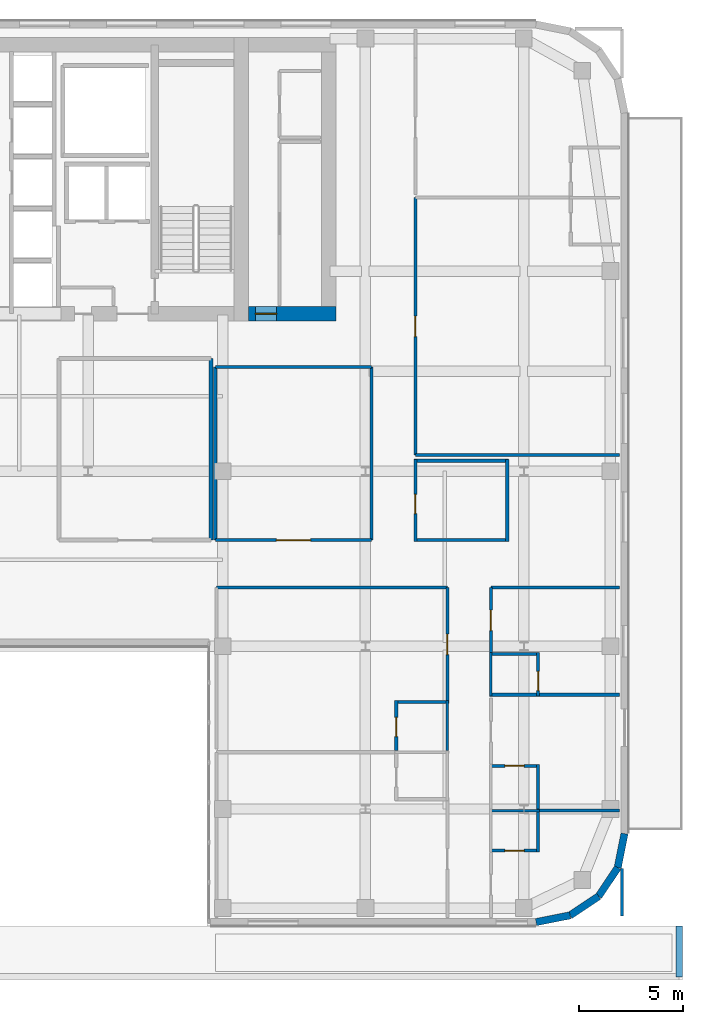
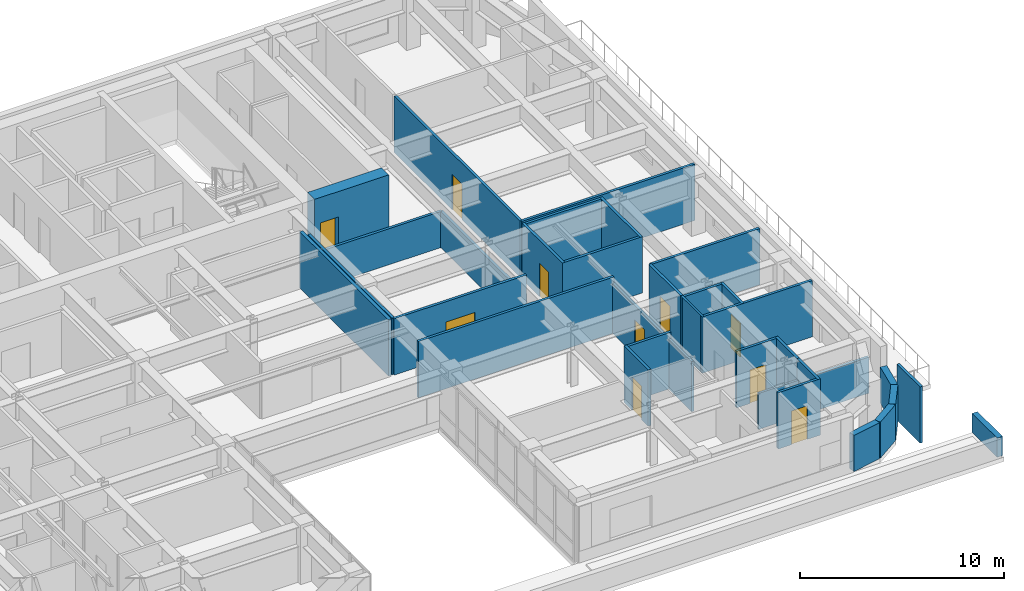
# One storey, part 12 of 20: 35 walls, 10 doors, 10 openings.
"""IFC4 building model written with IfcOpenShell, lengths in metres."""

from ifc_helpers import new_model, si_unit, direction, frame, frame_2d, origin, place, context, subcontext, project, spatial, rectangle, extrude, source, transform, mapped, material, layer, layer_set, type_object, type_shapes, element, fill, save


model = new_model("IFC4")

# Units and contexts
model_context = context("Model", 3, precision=1e-05, world=origin(), true_north=direction((0.0, 1.0)))
body_context = subcontext(model_context, "Body", "Model", "MODEL_VIEW")
ifc_project = project(units=[si_unit("LENGTHUNIT", "METRE"), si_unit("AREAUNIT", "SQUARE_METRE"), si_unit("VOLUMEUNIT", "CUBIC_METRE"), si_unit("PLANEANGLEUNIT", "RADIAN"), si_unit("MASSUNIT", "GRAM", prefix="KILO")], contexts=[model_context])

# Site, building, storey
site_placement = place(None, origin())
site = spatial("IfcSite", under=ifc_project, at=site_placement, CompositionType="ELEMENT")
building_placement = place(site_placement, origin())
building = spatial("IfcBuilding", under=site, at=building_placement, Name="Tolvann Quenvar Hotel", CompositionType="ELEMENT")
storey_placement = place(building_placement, frame((0.0, 0.0, 147.050048828125)))
storey = spatial("IfcBuildingStorey", under=building, at=storey_placement, Name="L38", CompositionType="ELEMENT", Elevation=147.050048828125)

# Wall, opening, door
ifc_material_1 = material(Name="Concrete S65 (65 MPa)", Category="concrete")
ifc_layer_1 = layer(ifc_material_1, 0.699951171875)
ifc_layer_set_1 = layer_set([ifc_layer_1], Name="Concrete S65 (65 MPa)")
wall_type_1 = type_object("IfcWallType", Name="WALL_CORE_700", PredefinedType="SHEAR", material=ifc_layer_set_1)
wall_1_placement = place(storey_placement, frame((36.199951171875, 31.949951171875, 0.0), z_axis=(0.0, 0.0, 1.0), x_axis=(1.0, 0.0, 0.0)))
wall_1 = element("IfcWall", 1, at=wall_1_placement, inside=storey, type_object=wall_type_1, Name="Core East Annex Shear Wall ANN-S (L38)", PredefinedType="SHEAR", context=body_context, shape_type="SweptSolid", body=[
    extrude(rectangle(XDim=4.199951171875, YDim=0.699951171875, at=frame_2d((2.10009765625, 0.0))), origin(), (0.0, 0.0, 1.0), 3.550048828125),
])
opening_1_placement = place(wall_1_placement, frame((1.340087890625, 0.0, 0.0), z_axis=(0.0, 0.0, 1.0), x_axis=(-1.0, 0.0, 0.0)))
opening_1 = element("IfcOpeningElement", 2, at=opening_1_placement, cuts=wall_1, Name="Opening HD-01", PredefinedType="OPENING", context=body_context, shape_type="SweptSolid", body=[
    extrude(rectangle(XDim=1.02001953125, YDim=2.030029296875, at=frame_2d((0.510009765625, 1.01513671875))), frame((0.0, 0.35986328125, 0.0), z_axis=(0.0, -1.0, 0.0), x_axis=(1.0, 0.0, 0.0)), (0.0, 0.0, 1.0), 0.719970703125),
])
ifc_material_2 = material(Name="Pressed galvanised steel fire-rated door set", Category="steel")
door_type_1 = type_object("IfcDoorType", Name="DOOR_BOH_1020", OperationType="NOTDEFINED", PredefinedType="DOOR", material=ifc_material_2)
shared_shape_1 = source(origin(), body_context, "Body", "SweptSolid", [
    extrude(rectangle(XDim=1.02001953125, YDim=2.030029296875, at=frame_2d((0.510009765625, 1.01513671875))), frame((0.0, 0.02490234375, 0.0), z_axis=(0.0, -1.0, 0.0), x_axis=(1.0, 0.0, 0.0)), (0.0, 0.0, 1.0), 0.050048828125),
])
type_shapes(door_type_1, [shared_shape_1])
door_1_placement = place(opening_1_placement, origin())
door_1 = element("IfcDoor", 3, at=door_1_placement, inside=storey, type_object=door_type_1, Name="Housekeeping Annex Fire Door (L38)", OperationType="SINGLE_SWING_LEFT", OverallHeight=2.030029296875, OverallWidth=1.02001953125, PredefinedType="DOOR", context=body_context, shape_type="MappedRepresentation", body=[
    mapped(shared_shape_1, transform((0.0, 0.0, 0.0), x_axis=(1.0, 0.0, 0.0), y_axis=(0.0, 1.0, 0.0), z_axis=(0.0, 0.0, 1.0), scale=1.0)),
])
fill(opening_1, door_1)

# Walls
ifc_material_3 = material(Name="Kiln-fired red and buff architectural clay brickwork and terracotta masonry", Category="masonry")
ifc_layer_2 = layer(ifc_material_3, 0.35009765625)
ifc_layer_set_2 = layer_set([ifc_layer_2], Name="Kiln-fired red and buff architectural clay brickwork and terracotta masonry")
wall_type_2 = type_object("IfcWallType", Name="WALL_EXT_BRICK_350", PredefinedType="SOLIDWALL", material=ifc_layer_set_2)
wall_2_placement = place(storey_placement, frame((49.98291015625, 2.77490234375, 0.0), z_axis=(0.0, 0.0, 1.0), x_axis=(0.980788844421, 0.195072403631, 0.0)))
element("IfcWall", 4, at=wall_2_placement, inside=storey, type_object=wall_type_2, Name="Exterior Chicago Brick Wall L38-E09", PredefinedType="SOLIDWALL", context=body_context, shape_type="SweptSolid", body=[
    extrude(rectangle(XDim=1.66455078125, YDim=0.35009765625, at=frame_2d((0.832275390625, 0.0))), origin(), (0.0, 0.0, 1.0), 2.159912109375),
])
for number, where, z_axis, x_axis, name in (
    (5, (51.615478515625, 3.099609375, 0.0), (0.0, 0.0, 1.0), (0.831434158098, 0.555623290322, 0.0), "Exterior Chicago Brick Wall L38-E10"),
    (6, (52.985107421875, 4.014892578125, 0.0), (0.0, 0.0, 1.0), (0.555623290322, 0.831434158098, 0.0), "Exterior Chicago Brick Wall L38-E11"),
):
    element("IfcWall", number, at=place(storey_placement, frame(where, z_axis=z_axis, x_axis=x_axis)), inside=storey, type_object=wall_type_2, Name=name, PredefinedType="SOLIDWALL", context=body_context, shape_type="SweptSolid", body=[
        extrude(rectangle(XDim=1.647216796875, YDim=0.35009765625, at=frame_2d((0.82373046875, 0.0))), origin(), (0.0, 0.0, 1.0), 2.159912109375),
    ])
wall_3_placement = place(storey_placement, frame((53.900390625, 5.384521484375, 0.0), z_axis=(0.0, 0.0, 1.0), x_axis=(0.195072403631, 0.980788844421, 0.0)))
element("IfcWall", 7, at=wall_3_placement, inside=storey, type_object=wall_type_2, Name="Exterior Chicago Brick Wall L38-E12", PredefinedType="SOLIDWALL", context=body_context, shape_type="SweptSolid", body=[
    extrude(rectangle(XDim=1.66455078125, YDim=0.35009765625, at=frame_2d((0.832275390625, 0.0))), origin(), (0.0, 0.0, 1.0), 2.159912109375),
])
ifc_layer_3 = layer(ifc_material_3, 0.300048828125)
ifc_layer_set_3 = layer_set([ifc_layer_3], Name="Kiln-fired red and buff architectural clay brickwork and terracotta masonry")
wall_type_3 = type_object("IfcWallType", Name="WALL_PARAPET_300", PredefinedType="PARAPET", material=ifc_layer_set_3)
wall_4_placement = place(storey_placement, frame((56.85009765625, 0.14990234375, 0.0), z_axis=(0.0, 0.0, 1.0), x_axis=(0.0, 1.0, 0.0)))
element("IfcWall", 8, at=wall_4_placement, inside=storey, type_object=wall_type_3, Name="Setback Roof Parapet L38-SE", PredefinedType="PARAPET", context=body_context, shape_type="SweptSolid", body=[
    extrude(rectangle(XDim=2.4501953125, YDim=0.300048828125, at=frame_2d((1.22509765625, 0.0))), origin(), (0.0, 0.0, 1.0), 1.14990234375),
])
ifc_material_4 = material(Name="Acoustic twin-stud fire-rated gypsum plasterboard partition")
ifc_layer_4 = layer(ifc_material_4, 0.179931640625)
ifc_layer_set_4 = layer_set([ifc_layer_4], Name="Acoustic twin-stud fire-rated gypsum plasterboard partition")
wall_type_4 = type_object("IfcWallType", Name="WALL_PART_ACOUSTIC_180", PredefinedType="PARTITIONING", material=ifc_layer_set_4)
wall_5_placement = place(storey_placement, frame((34.39990234375, 21.10009765625, 0.0), z_axis=(0.0, 0.0, 1.0), x_axis=(0.0, 1.0, 0.0)))
element("IfcWall", 9, at=wall_5_placement, inside=storey, type_object=wall_type_4, Name="Interior Partition PT-SPC-L38-MSP-C-E", PredefinedType="PARTITIONING", context=body_context, shape_type="SweptSolid", body=[
    extrude(rectangle(XDim=8.699951171875, YDim=0.179931640625, at=frame_2d((4.35009765625, 0.0))), origin(), (0.0, 0.0, 1.0), 3.369873046875),
])
ifc_material_5 = material(Name="Moisture-resistant acoustic plumbing wall assembly")
ifc_layer_5 = layer(ifc_material_5, 0.1201171875)
ifc_layer_set_5 = layer_set([ifc_layer_5], Name="Moisture-resistant acoustic plumbing wall assembly")
wall_type_5 = type_object("IfcWallType", Name="WALL_PART_BATH_120", PredefinedType="PLUMBINGWALL", material=ifc_layer_set_5)
wall_6_placement = place(storey_placement, frame((45.72998046875, 11.010009765625, 0.0), z_axis=(0.0, 0.0, 1.0), x_axis=(0.0, 1.0, 0.0)))
element("IfcWall", 10, at=wall_6_placement, inside=storey, type_object=wall_type_5, Name="Non-Rated Plumbing Partition PT-SPC-L38-ENS-EI02-E", PredefinedType="PLUMBINGWALL", context=body_context, shape_type="SweptSolid", body=[
    extrude(rectangle(XDim=2.389892578125, YDim=0.1201171875, at=frame_2d((1.19482421875, 0.0))), origin(), (0.0, 0.0, 1.0), 3.0009765625),
])
wall_7_placement = place(storey_placement, frame((47.75, 8.1201171875, 0.0), z_axis=(0.0, 0.0, 1.0), x_axis=(1.0, 0.0, 0.0)))
element("IfcWall", 11, at=wall_7_placement, inside=storey, type_object=wall_type_5, Name="Non-Rated Plumbing Partition PT-SPC-L38-ENS-EO01-N", PredefinedType="PLUMBINGWALL", context=body_context, shape_type="SweptSolid", body=[
    extrude(rectangle(XDim=2.40087890625, YDim=0.1201171875, at=frame_2d((1.200439453125, 0.0))), origin(), (0.0, 0.0, 1.0), 2.159912109375),
])
wall_8_placement = place(storey_placement, frame((47.820068359375, 13.610107421875, 0.0), z_axis=(0.0, 0.0, 1.0), x_axis=(0.0, 1.0, 0.0)))
element("IfcWall", 12, at=wall_8_placement, inside=storey, type_object=wall_type_5, Name="Non-Rated Plumbing Partition PT-SPC-L38-ENS-EO03-W", PredefinedType="PLUMBINGWALL", context=body_context, shape_type="SweptSolid", body=[
    extrude(rectangle(XDim=2.0927734375, YDim=0.1201171875, at=frame_2d((1.04638671875, 0.0))), origin(), (0.0, 0.0, 1.0), 3.369873046875),
])

# Wall, opening, door
ifc_layer_6 = layer(ifc_material_4, 0.14990234375)
ifc_layer_set_6 = layer_set([ifc_layer_6], Name="Acoustic twin-stud fire-rated gypsum plasterboard partition")
wall_type_6 = type_object("IfcWallType", Name="WALL_PART_SUITE_150", PredefinedType="PARTITIONING", material=ifc_layer_set_6)
wall_9_placement = place(storey_placement, frame((43.280029296875, 11.010009765625, 0.0), z_axis=(0.0, 0.0, 1.0), x_axis=(0.0, 1.0, 0.0)))
wall_9 = element("IfcWall", 13, at=wall_9_placement, inside=storey, type_object=wall_type_6, Name="Interior Partition PT-SPC-L38-ENS-EI02-ENT", PredefinedType="PARTITIONING", context=body_context, shape_type="SweptSolid", body=[
    extrude(rectangle(XDim=2.389892578125, YDim=0.14990234375, at=frame_2d((1.19482421875, 0.0))), origin(), (0.0, 0.0, 1.0), 3.369873046875),
])
opening_2_placement = place(wall_9_placement, frame((0.6650390625, 0.0, 0.0)))
opening_2 = element("IfcOpeningElement", 14, at=opening_2_placement, cuts=wall_9, Name="Opening WD-01", PredefinedType="OPENING", context=body_context, shape_type="SweptSolid", body=[
    extrude(rectangle(XDim=0.919921875, YDim=2.010009765625, at=frame_2d((0.4599609375, 1.0048828125))), frame((0.0, 0.0849609375, 0.0), z_axis=(0.0, -1.0, 0.0), x_axis=(1.0, 0.0, 0.0)), (0.0, 0.0, 1.0), 0.169921875),
])
ifc_material_6 = material(Name="Solid-core American oak acoustic fire door leaf in steel frame", Category="steel")
door_type_2 = type_object("IfcDoorType", Name="DOOR_WC_920", OperationType="NOTDEFINED", PredefinedType="DOOR", material=ifc_material_6)
shared_shape_2 = source(origin(), body_context, "Body", "SweptSolid", [
    extrude(rectangle(XDim=0.919921875, YDim=2.010009765625, at=frame_2d((0.4599609375, 1.0048828125))), frame((0.0, 0.02490234375, 0.0), z_axis=(0.0, -1.0, 0.0), x_axis=(1.0, 0.0, 0.0)), (0.0, 0.0, 1.0), 0.050048828125),
])
type_shapes(door_type_2, [shared_shape_2])
door_2_placement = place(opening_2_placement, origin())
door_2 = element("IfcDoor", 15, at=door_2_placement, inside=storey, type_object=door_type_2, Name="Interior Door DOOR-SPC-L38-ENS-EI02", OperationType="SINGLE_SWING_LEFT", OverallHeight=2.010009765625, OverallWidth=0.919921875, PredefinedType="DOOR", context=body_context, shape_type="MappedRepresentation", body=[
    mapped(shared_shape_2, transform((0.0, 0.0, 0.0), x_axis=(1.0, 0.0, 0.0), y_axis=(0.0, 1.0, 0.0), z_axis=(0.0, 0.0, 1.0), scale=1.0)),
])
fill(opening_2, door_2)

# Walls
wall_10_placement = place(storey_placement, frame((43.2099609375, 13.330078125, 0.0), z_axis=(0.0, 0.0, 1.0), x_axis=(1.0, 0.0, 0.0)))
element("IfcWall", 16, at=wall_10_placement, inside=storey, type_object=wall_type_6, Name="Interior Partition PT-SPC-L38-ENS-EI02-N", PredefinedType="PARTITIONING", context=body_context, shape_type="SweptSolid", body=[
    extrude(rectangle(XDim=2.590087890625, YDim=0.14990234375, at=frame_2d((1.294921875, 0.0))), origin(), (0.0, 0.0, 1.0), 3.369873046875),
])
wall_11_placement = place(storey_placement, frame((50.0810546875, 6.135009765625, 0.0), z_axis=(0.0, 0.0, 1.0), x_axis=(0.0, 1.0, 0.0)))
element("IfcWall", 17, at=wall_11_placement, inside=storey, type_object=wall_type_6, Name="Interior Partition PT-SPC-L38-ENS-EO01-ENT", PredefinedType="PARTITIONING", context=body_context, shape_type="SweptSolid", body=[
    extrude(rectangle(XDim=2.054931640625, YDim=0.14990234375, at=frame_2d((1.02734375, 0.0))), origin(), (0.0, 0.0, 1.0), 3.369873046875),
])

# Wall, opening, door
wall_12_placement = place(storey_placement, frame((47.75, 6.205078125, 0.0), z_axis=(0.0, 0.0, 1.0), x_axis=(1.0, 0.0, 0.0)))
wall_12 = element("IfcWall", 18, at=wall_12_placement, inside=storey, type_object=wall_type_6, Name="Interior Partition PT-SPC-L38-ENS-EO01-S", PredefinedType="PARTITIONING", context=body_context, shape_type="SweptSolid", body=[
    extrude(rectangle(XDim=2.40087890625, YDim=0.14990234375, at=frame_2d((1.200439453125, 0.0))), origin(), (0.0, 0.0, 1.0), 3.369873046875),
])
opening_3_placement = place(wall_12_placement, frame((0.740478515625, 0.0, 0.0)))
opening_3 = element("IfcOpeningElement", 19, at=opening_3_placement, cuts=wall_12, Name="Opening WD-01", PredefinedType="OPENING", context=body_context, shape_type="SweptSolid", body=[
    extrude(rectangle(XDim=0.919921875, YDim=2.010009765625, at=frame_2d((0.4599609375, 1.0048828125))), frame((0.0, 0.0849609375, 0.0), z_axis=(0.0, -1.0, 0.0), x_axis=(1.0, 0.0, 0.0)), (0.0, 0.0, 1.0), 0.169921875),
])
door_3_placement = place(opening_3_placement, origin())
door_3 = element("IfcDoor", 20, at=door_3_placement, inside=storey, type_object=door_type_2, Name="Interior Door DOOR-SPC-L38-ENS-EO01", OperationType="SINGLE_SWING_RIGHT", OverallHeight=2.010009765625, OverallWidth=0.919921875, PredefinedType="DOOR", context=body_context, shape_type="MappedRepresentation", body=[
    mapped(shared_shape_2, transform((0.0, 0.0, 0.0), x_axis=(1.0, 0.0, 0.0), y_axis=(0.0, 1.0, 0.0), z_axis=(0.0, 0.0, 1.0), scale=1.0)),
])
fill(opening_3, door_3)

# Wall
wall_13_placement = place(storey_placement, frame((50.0810546875, 8.2099609375, 0.0), z_axis=(0.0, 0.0, 1.0), x_axis=(0.0, 1.0, 0.0)))
element("IfcWall", 21, at=wall_13_placement, inside=storey, type_object=wall_type_6, Name="Interior Partition PT-SPC-L38-ENS-EO02-ENT", PredefinedType="PARTITIONING", context=body_context, shape_type="SweptSolid", body=[
    extrude(rectangle(XDim=2.131103515625, YDim=0.14990234375, at=frame_2d((1.0654296875, 0.0))), origin(), (0.0, 0.0, 1.0), 3.369873046875),
])

# Wall, opening, door
wall_14_placement = place(storey_placement, frame((47.75, 10.27099609375, 0.0), z_axis=(0.0, 0.0, 1.0), x_axis=(1.0, 0.0, 0.0)))
wall_14 = element("IfcWall", 22, at=wall_14_placement, inside=storey, type_object=wall_type_6, Name="Interior Partition PT-SPC-L38-ENS-EO02-N", PredefinedType="PARTITIONING", context=body_context, shape_type="SweptSolid", body=[
    extrude(rectangle(XDim=2.40087890625, YDim=0.14990234375, at=frame_2d((1.200439453125, 0.0))), origin(), (0.0, 0.0, 1.0), 3.369873046875),
])
opening_4_placement = place(wall_14_placement, frame((0.740478515625, 0.0, 0.0)))
opening_4 = element("IfcOpeningElement", 23, at=opening_4_placement, cuts=wall_14, Name="Opening WD-01", PredefinedType="OPENING", context=body_context, shape_type="SweptSolid", body=[
    extrude(rectangle(XDim=0.919921875, YDim=2.010009765625, at=frame_2d((0.4599609375, 1.0048828125))), frame((0.0, 0.0849609375, 0.0), z_axis=(0.0, -1.0, 0.0), x_axis=(1.0, 0.0, 0.0)), (0.0, 0.0, 1.0), 0.169921875),
])
door_4_placement = place(opening_4_placement, origin())
door_4 = element("IfcDoor", 24, at=door_4_placement, inside=storey, type_object=door_type_2, Name="Interior Door DOOR-SPC-L38-ENS-EO02", OperationType="SINGLE_SWING_LEFT", OverallHeight=2.010009765625, OverallWidth=0.919921875, PredefinedType="DOOR", context=body_context, shape_type="MappedRepresentation", body=[
    mapped(shared_shape_2, transform((0.0, 0.0, 0.0), x_axis=(1.0, 0.0, 0.0), y_axis=(0.0, 1.0, 0.0), z_axis=(0.0, 0.0, 1.0), scale=1.0)),
])
fill(opening_4, door_4)

wall_15_placement = place(storey_placement, frame((50.0810546875, 13.610107421875, 0.0), z_axis=(0.0, 0.0, 1.0), x_axis=(0.0, 1.0, 0.0)))
wall_15 = element("IfcWall", 25, at=wall_15_placement, inside=storey, type_object=wall_type_6, Name="Interior Partition PT-SPC-L38-ENS-EO03-ENT", PredefinedType="PARTITIONING", context=body_context, shape_type="SweptSolid", body=[
    extrude(rectangle(XDim=2.0927734375, YDim=0.14990234375, at=frame_2d((1.04638671875, 0.0))), origin(), (0.0, 0.0, 1.0), 3.369873046875),
])
opening_5_placement = place(wall_15_placement, frame((0.27001953125, 0.0, 0.0)))
opening_5 = element("IfcOpeningElement", 26, at=opening_5_placement, cuts=wall_15, Name="Opening WD-01", PredefinedType="OPENING", context=body_context, shape_type="SweptSolid", body=[
    extrude(rectangle(XDim=0.919921875, YDim=2.010009765625, at=frame_2d((0.4599609375, 1.0048828125))), frame((0.0, 0.0849609375, 0.0), z_axis=(0.0, -1.0, 0.0), x_axis=(1.0, 0.0, 0.0)), (0.0, 0.0, 1.0), 0.169921875),
])
door_5_placement = place(opening_5_placement, origin())
door_5 = element("IfcDoor", 27, at=door_5_placement, inside=storey, type_object=door_type_2, Name="Interior Door DOOR-SPC-L38-ENS-EO03", OperationType="SINGLE_SWING_RIGHT", OverallHeight=2.010009765625, OverallWidth=0.919921875, PredefinedType="DOOR", context=body_context, shape_type="MappedRepresentation", body=[
    mapped(shared_shape_2, transform((0.0, 0.0, 0.0), x_axis=(1.0, 0.0, 0.0), y_axis=(0.0, 1.0, 0.0), z_axis=(0.0, 0.0, 1.0), scale=1.0)),
])
fill(opening_5, door_5)

# Walls
wall_16_placement = place(storey_placement, frame((47.75, 13.679931640625, 0.0), z_axis=(0.0, 0.0, 1.0), x_axis=(1.0, 0.0, 0.0)))
element("IfcWall", 28, at=wall_16_placement, inside=storey, type_object=wall_type_6, Name="Interior Partition PT-SPC-L38-ENS-EO03-S", PredefinedType="PARTITIONING", context=body_context, shape_type="SweptSolid", body=[
    extrude(rectangle(XDim=6.2451171875, YDim=0.14990234375, at=frame_2d((3.12255859375, 0.0))), origin(), (0.0, 0.0, 1.0), 3.369873046875),
])
wall_17_placement = place(storey_placement, frame((47.75, 15.633056640625, 0.0), z_axis=(0.0, 0.0, 1.0), x_axis=(1.0, 0.0, 0.0)))
element("IfcWall", 29, at=wall_17_placement, inside=storey, type_object=wall_type_6, Name="Interior Partition PT-SPC-L38-ENS-EO03-N", PredefinedType="PARTITIONING", context=body_context, shape_type="SweptSolid", body=[
    extrude(rectangle(XDim=2.40087890625, YDim=0.14990234375, at=frame_2d((1.200439453125, 0.0))), origin(), (0.0, 0.0, 1.0), 3.369873046875),
])

# Wall, opening, door
wall_18_placement = place(storey_placement, frame((45.72998046875, 13.409912109375, 0.0), z_axis=(0.0, 0.0, 1.0), x_axis=(0.0, 1.0, 0.0)))
wall_18 = element("IfcWall", 30, at=wall_18_placement, inside=storey, type_object=wall_type_6, Name="Interior Partition PT-SPC-L38-RM-EI02-ENT", PredefinedType="PARTITIONING", context=body_context, shape_type="SweptSolid", body=[
    extrude(rectangle(XDim=5.41015625, YDim=0.14990234375, at=frame_2d((2.705078125, 0.0))), origin(), (0.0, 0.0, 1.0), 3.0009765625),
])
opening_6_placement = place(wall_18_placement, frame((2.195068359375, 0.0, 0.0)))
opening_6 = element("IfcOpeningElement", 31, at=opening_6_placement, cuts=wall_18, Name="Opening SD-01", PredefinedType="OPENING", context=body_context, shape_type="SweptSolid", body=[
    extrude(rectangle(XDim=0.97998046875, YDim=2.1201171875, at=frame_2d((0.489990234375, 1.06005859375))), frame((0.0, 0.0849609375, 0.0), z_axis=(0.0, -1.0, 0.0), x_axis=(1.0, 0.0, 0.0)), (0.0, 0.0, 1.0), 0.169921875),
])
door_type_3 = type_object("IfcDoorType", Name="DOOR_SUITE_980", OperationType="NOTDEFINED", PredefinedType="DOOR", material=ifc_material_6)
shared_shape_3 = source(origin(), body_context, "Body", "SweptSolid", [
    extrude(rectangle(XDim=0.97998046875, YDim=2.1201171875, at=frame_2d((0.489990234375, 1.06005859375))), frame((0.0, 0.02490234375, 0.0), z_axis=(0.0, -1.0, 0.0), x_axis=(1.0, 0.0, 0.0)), (0.0, 0.0, 1.0), 0.050048828125),
])
type_shapes(door_type_3, [shared_shape_3])
door_6_placement = place(opening_6_placement, origin())
door_6 = element("IfcDoor", 32, at=door_6_placement, inside=storey, type_object=door_type_3, Name="Interior Door DOOR-SPC-L38-RM-EI02", OperationType="SINGLE_SWING_RIGHT", OverallHeight=2.1201171875, OverallWidth=0.97998046875, PredefinedType="DOOR", context=body_context, shape_type="MappedRepresentation", body=[
    mapped(shared_shape_3, transform((0.0, 0.0, 0.0), x_axis=(1.0, 0.0, 0.0), y_axis=(0.0, 1.0, 0.0), z_axis=(0.0, 0.0, 1.0), scale=1.0)),
])
fill(opening_6, door_6)

# Walls
wall_19_placement = place(storey_placement, frame((34.64990234375, 18.820068359375, 0.0), z_axis=(0.0, 0.0, 1.0), x_axis=(1.0, 0.0, 0.0)))
element("IfcWall", 33, at=wall_19_placement, inside=storey, type_object=wall_type_6, Name="Interior Partition PT-SPC-L38-RM-EI02-E5", PredefinedType="PARTITIONING", context=body_context, shape_type="SweptSolid", body=[
    extrude(rectangle(XDim=11.080078125, YDim=0.14990234375, at=frame_2d((5.5400390625, 0.0))), origin(), (0.0, 0.0, 1.0), 3.369873046875),
])
wall_20_placement = place(storey_placement, frame((54.10009765625, 3.080078125, 0.0), z_axis=(0.0, 0.0, 1.0), x_axis=(0.0, 1.0, 0.0)))
element("IfcWall", 34, at=wall_20_placement, inside=storey, type_object=wall_type_6, Name="Interior Partition PT-SPC-L38-RM-EO01-E2", PredefinedType="PARTITIONING", context=body_context, shape_type="SweptSolid", body=[
    extrude(rectangle(XDim=2.264892578125, YDim=0.14990234375, at=frame_2d((1.13232421875, 0.0))), origin(), (0.0, 0.0, 1.0), 3.369873046875),
])
wall_21_placement = place(storey_placement, frame((50.10107421875, 8.1201171875, 0.0), z_axis=(0.0, 0.0, 1.0), x_axis=(1.0, 0.0, 0.0)))
element("IfcWall", 35, at=wall_21_placement, inside=storey, type_object=wall_type_6, Name="Interior Partition PT-SPC-L38-RM-EO01-E3", PredefinedType="PARTITIONING", context=body_context, shape_type="SweptSolid", body=[
    extrude(rectangle(XDim=3.89404296875, YDim=0.14990234375, at=frame_2d((1.947021484375, 0.0))), origin(), (0.0, 0.0, 1.0), 2.159912109375),
])

# Wall, opening, door
wall_22_placement = place(storey_placement, frame((47.820068359375, 15.712890625, 0.0), z_axis=(0.0, 0.0, 1.0), x_axis=(0.0, 1.0, 0.0)))
wall_22 = element("IfcWall", 36, at=wall_22_placement, inside=storey, type_object=wall_type_6, Name="Interior Partition PT-SPC-L38-RM-EO03-ENT", PredefinedType="PARTITIONING", context=body_context, shape_type="SweptSolid", body=[
    extrude(rectangle(XDim=3.107177734375, YDim=0.14990234375, at=frame_2d((1.5537109375, 0.0))), origin(), (0.0, 0.0, 1.0), 3.369873046875),
])
opening_7_placement = place(wall_22_placement, frame((1.04345703125, 0.0, 0.0)))
opening_7 = element("IfcOpeningElement", 37, at=opening_7_placement, cuts=wall_22, Name="Opening SD-01", PredefinedType="OPENING", context=body_context, shape_type="SweptSolid", body=[
    extrude(rectangle(XDim=0.97998046875, YDim=2.1201171875, at=frame_2d((0.489990234375, 1.06005859375))), frame((0.0, 0.0849609375, 0.0), z_axis=(0.0, -1.0, 0.0), x_axis=(1.0, 0.0, 0.0)), (0.0, 0.0, 1.0), 0.169921875),
])
door_7_placement = place(opening_7_placement, origin())
door_7 = element("IfcDoor", 38, at=door_7_placement, inside=storey, type_object=door_type_3, Name="Interior Door DOOR-SPC-L38-RM-EO03", OperationType="SINGLE_SWING_LEFT", OverallHeight=2.1201171875, OverallWidth=0.97998046875, PredefinedType="DOOR", context=body_context, shape_type="MappedRepresentation", body=[
    mapped(shared_shape_3, transform((0.0, 0.0, 0.0), x_axis=(1.0, 0.0, 0.0), y_axis=(0.0, 1.0, 0.0), z_axis=(0.0, 0.0, 1.0), scale=1.0)),
])
fill(opening_7, door_7)

# Wall
wall_23_placement = place(storey_placement, frame((47.820068359375, 18.820068359375, 0.0), z_axis=(0.0, 0.0, 1.0), x_axis=(1.0, 0.0, 0.0)))
element("IfcWall", 39, at=wall_23_placement, inside=storey, type_object=wall_type_6, Name="Interior Partition PT-SPC-L38-RM-EO03-E5", PredefinedType="PARTITIONING", context=body_context, shape_type="SweptSolid", body=[
    extrude(rectangle(XDim=6.175048828125, YDim=0.14990234375, at=frame_2d((3.08740234375, 0.0))), origin(), (0.0, 0.0, 1.0), 3.369873046875),
])

# Wall, opening, door
wall_24_placement = place(storey_placement, frame((44.199951171875, 21.030029296875, 0.0), z_axis=(0.0, 0.0, 1.0), x_axis=(0.0, 1.0, 0.0)))
wall_24 = element("IfcWall", 40, at=wall_24_placement, inside=storey, type_object=wall_type_6, Name="Interior Partition PT-SPC-L38-WCA-ENT", PredefinedType="PARTITIONING", context=body_context, shape_type="SweptSolid", body=[
    extrude(rectangle(XDim=3.93994140625, YDim=0.14990234375, at=frame_2d((1.969970703125, 0.0))), origin(), (0.0, 0.0, 1.0), 3.369873046875),
])
opening_8_placement = place(wall_24_placement, frame((1.340087890625, 0.0, 0.0)))
opening_8 = element("IfcOpeningElement", 41, at=opening_8_placement, cuts=wall_24, Name="Opening WD-01", PredefinedType="OPENING", context=body_context, shape_type="SweptSolid", body=[
    extrude(rectangle(XDim=0.919921875, YDim=2.010009765625, at=frame_2d((0.4599609375, 1.0048828125))), frame((0.0, 0.0849609375, 0.0), z_axis=(0.0, -1.0, 0.0), x_axis=(1.0, 0.0, 0.0)), (0.0, 0.0, 1.0), 0.169921875),
])
door_8_placement = place(opening_8_placement, origin())
door_8 = element("IfcDoor", 42, at=door_8_placement, inside=storey, type_object=door_type_2, Name="Interior Door DOOR-SPC-L38-WCA", OperationType="SINGLE_SWING_LEFT", OverallHeight=2.010009765625, OverallWidth=0.919921875, PredefinedType="DOOR", context=body_context, shape_type="MappedRepresentation", body=[
    mapped(shared_shape_2, transform((0.0, 0.0, 0.0), x_axis=(1.0, 0.0, 0.0), y_axis=(0.0, 1.0, 0.0), z_axis=(0.0, 0.0, 1.0), scale=1.0)),
])
fill(opening_8, door_8)

# Walls
for number, where, z_axis, x_axis, name in (
    (43, (44.1298828125, 21.10009765625, 0.0), (0.0, 0.0, 1.0), (1.0, 0.0, 0.0), "Interior Partition PT-SPC-L38-WCA-S"),
    (44, (44.1298828125, 24.89990234375, 0.0), (0.0, 0.0, 1.0), (1.0, 0.0, 0.0), "Interior Partition PT-SPC-L38-WCA-N"),
):
    element("IfcWall", number, at=place(storey_placement, frame(where, z_axis=z_axis, x_axis=x_axis)), inside=storey, type_object=wall_type_6, Name=name, PredefinedType="PARTITIONING", context=body_context, shape_type="SweptSolid", body=[
        extrude(rectangle(XDim=4.5400390625, YDim=0.14990234375, at=frame_2d((2.27001953125, 0.0))), origin(), (0.0, 0.0, 1.0), 3.369873046875),
    ])
wall_25_placement = place(storey_placement, frame((48.60009765625, 21.030029296875, 0.0), z_axis=(0.0, 0.0, 1.0), x_axis=(0.0, 1.0, 0.0)))
element("IfcWall", 45, at=wall_25_placement, inside=storey, type_object=wall_type_6, Name="Interior Partition PT-SPC-L38-WCA-E", PredefinedType="PARTITIONING", context=body_context, shape_type="SweptSolid", body=[
    extrude(rectangle(XDim=3.93994140625, YDim=0.14990234375, at=frame_2d((1.969970703125, 0.0))), origin(), (0.0, 0.0, 1.0), 3.369873046875),
])

# Wall, opening, door
wall_26_placement = place(storey_placement, frame((44.199951171875, 25.179931640625, 0.0), z_axis=(0.0, 0.0, 1.0), x_axis=(0.0, 1.0, 0.0)))
wall_26 = element("IfcWall", 46, at=wall_26_placement, inside=storey, type_object=wall_type_6, Name="Interior Partition PT-SPC-L38-RM-NE01-ENT", PredefinedType="PARTITIONING", context=body_context, shape_type="SweptSolid", body=[
    extrude(rectangle(XDim=12.340087890625, YDim=0.14990234375, at=frame_2d((6.169921875, 0.0))), origin(), (0.0, 0.0, 1.0), 3.369873046875),
])
opening_9_placement = place(wall_26_placement, frame((5.679931640625, 0.0, 0.0)))
opening_9 = element("IfcOpeningElement", 47, at=opening_9_placement, cuts=wall_26, Name="Opening SD-01", PredefinedType="OPENING", context=body_context, shape_type="SweptSolid", body=[
    extrude(rectangle(XDim=0.97998046875, YDim=2.1201171875, at=frame_2d((0.489990234375, 1.06005859375))), frame((0.0, 0.0849609375, 0.0), z_axis=(0.0, -1.0, 0.0), x_axis=(1.0, 0.0, 0.0)), (0.0, 0.0, 1.0), 0.169921875),
])
door_9_placement = place(opening_9_placement, origin())
door_9 = element("IfcDoor", 48, at=door_9_placement, inside=storey, type_object=door_type_3, Name="Interior Door DOOR-SPC-L38-RM-NE01", OperationType="SINGLE_SWING_RIGHT", OverallHeight=2.1201171875, OverallWidth=0.97998046875, PredefinedType="DOOR", context=body_context, shape_type="MappedRepresentation", body=[
    mapped(shared_shape_3, transform((0.0, 0.0, 0.0), x_axis=(1.0, 0.0, 0.0), y_axis=(0.0, 1.0, 0.0), z_axis=(0.0, 0.0, 1.0), scale=1.0)),
])
fill(opening_9, door_9)

# Wall
wall_27_placement = place(storey_placement, frame((44.199951171875, 25.179931640625, 0.0), z_axis=(0.0, 0.0, 1.0), x_axis=(1.0, 0.0, 0.0)))
element("IfcWall", 49, at=wall_27_placement, inside=storey, type_object=wall_type_6, Name="Interior Partition PT-SPC-L38-RM-NE01-E1", PredefinedType="PARTITIONING", context=body_context, shape_type="SweptSolid", body=[
    extrude(rectangle(XDim=9.795166015625, YDim=0.14990234375, at=frame_2d((4.8974609375, 0.0))), origin(), (0.0, 0.0, 1.0), 3.369873046875),
])

# Wall, opening, door
wall_28_placement = place(storey_placement, frame((34.60009765625, 21.10009765625, 0.0), z_axis=(0.0, 0.0, 1.0), x_axis=(1.0, 0.0, 0.0)))
wall_28 = element("IfcWall", 50, at=wall_28_placement, inside=storey, type_object=wall_type_6, Name="Interior Partition PT-SPC-L38-MSP-E-S", PredefinedType="PARTITIONING", context=body_context, shape_type="SweptSolid", body=[
    extrude(rectangle(XDim=7.5, YDim=0.14990234375, at=frame_2d((3.75, 0.0))), origin(), (0.0, 0.0, 1.0), 3.369873046875),
])
opening_10_placement = place(wall_28_placement, frame((2.925048828125, 0.0, 0.0)))
opening_10 = element("IfcOpeningElement", 51, at=opening_10_placement, cuts=wall_28, Name="Opening AD-01", PredefinedType="OPENING", context=body_context, shape_type="SweptSolid", body=[
    extrude(rectangle(XDim=1.64990234375, YDim=2.14990234375, at=frame_2d((0.824951171875, 1.074951171875))), frame((0.0, 0.0849609375, 0.0), z_axis=(0.0, -1.0, 0.0), x_axis=(1.0, 0.0, 0.0)), (0.0, 0.0, 1.0), 0.169921875),
])
door_type_4 = type_object("IfcDoorType", Name="DOOR_SALON_1650", OperationType="NOTDEFINED", PredefinedType="DOOR", material=ifc_material_6)
shared_shape_4 = source(origin(), body_context, "Body", "SweptSolid", [
    extrude(rectangle(XDim=1.64990234375, YDim=2.14990234375, at=frame_2d((0.824951171875, 1.074951171875))), frame((0.0, 0.02490234375, 0.0), z_axis=(0.0, -1.0, 0.0), x_axis=(1.0, 0.0, 0.0)), (0.0, 0.0, 1.0), 0.050048828125),
])
type_shapes(door_type_4, [shared_shape_4])
door_10_placement = place(opening_10_placement, origin())
door_10 = element("IfcDoor", 52, at=door_10_placement, inside=storey, type_object=door_type_4, Name="Interior Door DOOR-SPC-L38-MSP-E", OperationType="DOUBLE_DOOR_SINGLE_SWING", OverallHeight=2.14990234375, OverallWidth=1.64990234375, PredefinedType="DOOR", context=body_context, shape_type="MappedRepresentation", body=[
    mapped(shared_shape_4, transform((0.0, 0.0, 0.0), x_axis=(1.0, 0.0, 0.0), y_axis=(0.0, 1.0, 0.0), z_axis=(0.0, 0.0, 1.0), scale=1.0)),
])
fill(opening_10, door_10)

# Walls
wall_29_placement = place(storey_placement, frame((34.60009765625, 29.39990234375, 0.0), z_axis=(0.0, 0.0, 1.0), x_axis=(1.0, 0.0, 0.0)))
element("IfcWall", 53, at=wall_29_placement, inside=storey, type_object=wall_type_6, Name="Interior Partition PT-SPC-L38-MSP-E-N", PredefinedType="PARTITIONING", context=body_context, shape_type="SweptSolid", body=[
    extrude(rectangle(XDim=7.5, YDim=0.14990234375, at=frame_2d((3.75, 0.0))), origin(), (0.0, 0.0, 1.0), 2.159912109375),
])
wall_30_placement = place(storey_placement, frame((34.60009765625, 21.10009765625, 0.0), z_axis=(0.0, 0.0, 1.0), x_axis=(0.0, 1.0, 0.0)))
element("IfcWall", 54, at=wall_30_placement, inside=storey, type_object=wall_type_6, Name="Interior Partition PT-SPC-L38-MSP-E-W", PredefinedType="PARTITIONING", context=body_context, shape_type="SweptSolid", body=[
    extrude(rectangle(XDim=8.2998046875, YDim=0.14990234375, at=frame_2d((4.14990234375, 0.0))), origin(), (0.0, 0.0, 1.0), 3.369873046875),
])
wall_31_placement = place(storey_placement, frame((42.10009765625, 21.10009765625, 0.0), z_axis=(0.0, 0.0, 1.0), x_axis=(0.0, 1.0, 0.0)))
element("IfcWall", 55, at=wall_31_placement, inside=storey, type_object=wall_type_6, Name="Interior Partition PT-SPC-L38-MSP-E-E", PredefinedType="PARTITIONING", context=body_context, shape_type="SweptSolid", body=[
    extrude(rectangle(XDim=8.2998046875, YDim=0.14990234375, at=frame_2d((4.14990234375, 0.0))), origin(), (0.0, 0.0, 1.0), 2.159912109375),
])

save(model, "model.ifc")
